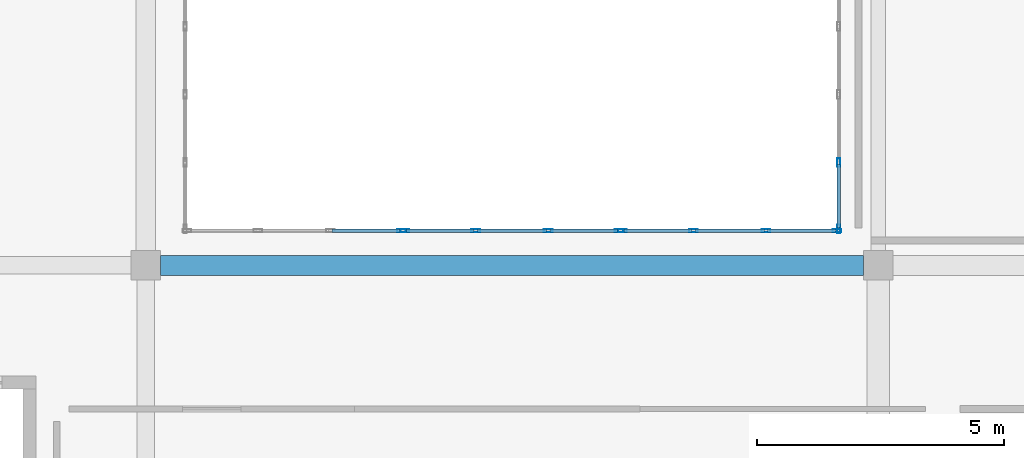
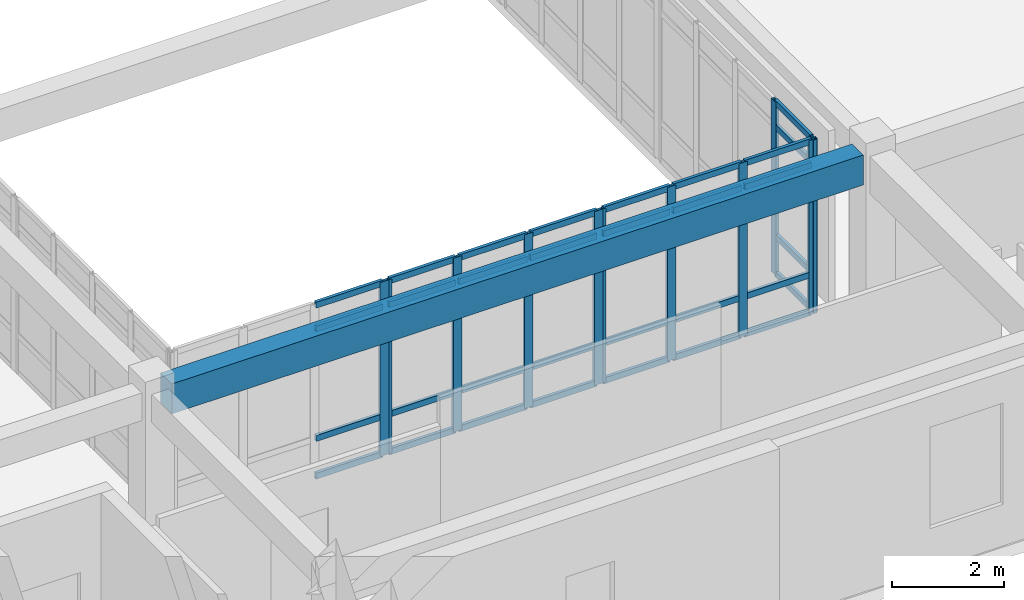
# One storey, part 48 of 91: 43 members, 1 beam, 4 elements without a shape of their own.
"""IFC4 building model written with IfcOpenShell, lengths in metres."""

from ifc_helpers import new_model, si_unit, direction, frame, origin, origin_2d, place, context, subcontext, project, spatial, rectangle, hollow_rectangle, extrude, material, layer, layer_set, material_profile, profile_set, type_object, element, aggregate, save


model = new_model("IFC4")

# Units and contexts
model_context = context("Model", 3, precision=1e-05, world=origin(), true_north=direction((0.0, 1.0)))
body_context = subcontext(model_context, "Body", "Model", "MODEL_VIEW")
ifc_project = project(units=[si_unit("LENGTHUNIT", "METRE"), si_unit("AREAUNIT", "SQUARE_METRE"), si_unit("VOLUMEUNIT", "CUBIC_METRE"), si_unit("PLANEANGLEUNIT", "RADIAN"), si_unit("MASSUNIT", "GRAM", prefix="KILO")], contexts=[model_context])

# Site, building, storey
site_placement = place(None, origin())
site = spatial("IfcSite", under=ifc_project, at=site_placement, CompositionType="ELEMENT")
building_placement = place(site_placement, origin())
building = spatial("IfcBuilding", under=site, at=building_placement, Name="Valcora Specialist Clinic", CompositionType="ELEMENT")
storey_placement = place(building_placement, frame((0.0, 0.0, 13.60009765625)))
storey = spatial("IfcBuildingStorey", under=building, at=storey_placement, Name="L03", CompositionType="ELEMENT", Elevation=13.60009765625)

# Beam
ifc_material_1 = material(Name="Concrete C40/50", Category="concrete")
ifc_material_profile_1 = material_profile(ifc_material_1, rectangle(XDim=0.39990234375, YDim=0.64990234375, at=origin_2d()), Name="RC-BM-400X650")
ifc_profile_set_1 = profile_set([ifc_material_profile_1], Name="Concrete C40/50")
beam_type = type_object("IfcBeamType", Name="TY-BM-RC400X650", PredefinedType="BEAM", material=ifc_profile_set_1)
beam_placement = place(storey_placement, frame((76.300048828125, 81.300048828125, 3.449951171875), z_axis=(1.0, 0.0, 0.0), x_axis=(0.0, 1.0, 0.0)))
element("IfcBeam", 1, at=beam_placement, inside=storey, type_object=beam_type, Name="Beam BM-L03-0777", PredefinedType="BEAM", context=body_context, shape_type="SweptSolid", body=[
    extrude(rectangle(XDim=0.39990234375, YDim=0.64990234375, at=origin_2d()), origin(), (0.0, 0.0, 1.0), 14.199951171875),
])

# Curtain wall, member
ifc_material_2 = material(Name="Anodized Bronze Aluminium 6063-T6", Category="aluminium")
ifc_layer = layer(ifc_material_2, 0.175048828125)
ifc_layer_set = layer_set([ifc_layer], Name="Anodized Bronze Aluminium 6063-T6")
curtain_wall_type = type_object("IfcCurtainWallType", Name="TY-CW-CRT15", PredefinedType="NOTDEFINED", material=ifc_layer_set)
curtain_wall_1_placement = place(storey_placement, origin())
curtain_wall_1 = element("IfcCurtainWall", 2, at=curtain_wall_1_placement, inside=storey, type_object=curtain_wall_type, Name="Curtain wall CW-L03-125", PredefinedType="NOTDEFINED")
ifc_material_profile_2 = material_profile(ifc_material_2, hollow_rectangle(XDim=0.06494140625, YDim=0.175048828125, WallThickness=0.00390625, at=origin_2d()), Name="AL-MUL-65X175")
ifc_profile_set_2 = profile_set([ifc_material_profile_2], Name="Anodized Bronze Aluminium 6063-T6")
member_type_1 = type_object("IfcMemberType", Name="TY-CWM-65X175", PredefinedType="MULLION", material=ifc_profile_set_2)
member_1_placement = place(storey_placement, frame((81.16748046875, 82.0, 0.0), z_axis=(0.0, 0.0, 1.0), x_axis=(0.0, 1.0, 0.0)))
member_1 = element("IfcMember", 3, at=member_1_placement, type_object=member_type_1, Name="CW-CRT-15 mullion 4", PredefinedType="MULLION", context=body_context, shape_type="SweptSolid", body=[
    extrude(hollow_rectangle(XDim=0.06494140625, YDim=0.175048828125, WallThickness=0.00390625, at=origin_2d()), origin(), (0.0, 0.0, 1.0), 3.77490234375),
])

# Curtain wall, members
curtain_wall_2_placement = place(storey_placement, origin())
curtain_wall_2 = element("IfcCurtainWall", 4, at=curtain_wall_2_placement, inside=storey, type_object=curtain_wall_type, Name="Curtain wall CW-L03-126", PredefinedType="NOTDEFINED")
member_2_placement = place(storey_placement, frame((81.232421875, 82.0, 0.0), z_axis=(0.0, 0.0, 1.0), x_axis=(0.0, 1.0, 0.0)))
member_2 = element("IfcMember", 5, at=member_2_placement, type_object=member_type_1, Name="CW-CRT-15 mullion 1", PredefinedType="MULLION", context=body_context, shape_type="SweptSolid", body=[
    extrude(hollow_rectangle(XDim=0.06494140625, YDim=0.175048828125, WallThickness=0.00390625, at=origin_2d()), origin(), (0.0, 0.0, 1.0), 3.77490234375),
])
member_3_placement = place(storey_placement, frame((82.666748046875, 82.0, 0.0), z_axis=(0.0, 0.0, 1.0), x_axis=(0.0, 1.0, 0.0)))
member_3 = element("IfcMember", 6, at=member_3_placement, type_object=member_type_1, Name="CW-CRT-15 mullion 2", PredefinedType="MULLION", context=body_context, shape_type="SweptSolid", body=[
    extrude(hollow_rectangle(XDim=0.06494140625, YDim=0.175048828125, WallThickness=0.00390625, at=origin_2d()), origin(), (0.0, 0.0, 1.0), 3.77490234375),
])
member_4_placement = place(storey_placement, frame((84.13330078125, 82.0, 0.0), z_axis=(0.0, 0.0, 1.0), x_axis=(0.0, 1.0, 0.0)))
member_4 = element("IfcMember", 7, at=member_4_placement, type_object=member_type_1, Name="CW-CRT-15 mullion 3", PredefinedType="MULLION", context=body_context, shape_type="SweptSolid", body=[
    extrude(hollow_rectangle(XDim=0.06494140625, YDim=0.175048828125, WallThickness=0.00390625, at=origin_2d()), origin(), (0.0, 0.0, 1.0), 3.77490234375),
])
member_5_placement = place(storey_placement, frame((85.5673828125, 82.0, 0.0), z_axis=(0.0, 0.0, 1.0), x_axis=(0.0, 1.0, 0.0)))
member_5 = element("IfcMember", 8, at=member_5_placement, type_object=member_type_1, Name="CW-CRT-15 mullion 4", PredefinedType="MULLION", context=body_context, shape_type="SweptSolid", body=[
    extrude(hollow_rectangle(XDim=0.06494140625, YDim=0.175048828125, WallThickness=0.00390625, at=origin_2d()), origin(), (0.0, 0.0, 1.0), 3.77490234375),
])

curtain_wall_3_placement = place(storey_placement, origin())
curtain_wall_3 = element("IfcCurtainWall", 9, at=curtain_wall_3_placement, inside=storey, type_object=curtain_wall_type, Name="Curtain wall CW-L03-127", PredefinedType="NOTDEFINED")
member_6_placement = place(storey_placement, frame((85.632568359375, 82.0, 0.0), z_axis=(0.0, 0.0, 1.0), x_axis=(0.0, 1.0, 0.0)))
member_6 = element("IfcMember", 10, at=member_6_placement, type_object=member_type_1, Name="CW-CRT-15 mullion 1", PredefinedType="MULLION", context=body_context, shape_type="SweptSolid", body=[
    extrude(hollow_rectangle(XDim=0.06494140625, YDim=0.175048828125, WallThickness=0.00390625, at=origin_2d()), origin(), (0.0, 0.0, 1.0), 3.77490234375),
])
member_7_placement = place(storey_placement, frame((87.066650390625, 82.0, 0.0), z_axis=(0.0, 0.0, 1.0), x_axis=(0.0, 1.0, 0.0)))
member_7 = element("IfcMember", 11, at=member_7_placement, type_object=member_type_1, Name="CW-CRT-15 mullion 2", PredefinedType="MULLION", context=body_context, shape_type="SweptSolid", body=[
    extrude(hollow_rectangle(XDim=0.06494140625, YDim=0.175048828125, WallThickness=0.00390625, at=origin_2d()), origin(), (0.0, 0.0, 1.0), 3.77490234375),
])
member_8_placement = place(storey_placement, frame((88.533447265625, 82.0, 0.0), z_axis=(0.0, 0.0, 1.0), x_axis=(0.0, 1.0, 0.0)))
member_8 = element("IfcMember", 12, at=member_8_placement, type_object=member_type_1, Name="CW-CRT-15 mullion 3", PredefinedType="MULLION", context=body_context, shape_type="SweptSolid", body=[
    extrude(hollow_rectangle(XDim=0.06494140625, YDim=0.175048828125, WallThickness=0.00390625, at=origin_2d()), origin(), (0.0, 0.0, 1.0), 3.77490234375),
])
member_9_placement = place(storey_placement, frame((89.967529296875, 82.0, 0.0), z_axis=(0.0, 0.0, 1.0), x_axis=(0.0, 1.0, 0.0)))
member_9 = element("IfcMember", 13, at=member_9_placement, type_object=member_type_1, Name="CW-CRT-15 mullion 4", PredefinedType="MULLION", context=body_context, shape_type="SweptSolid", body=[
    extrude(hollow_rectangle(XDim=0.06494140625, YDim=0.175048828125, WallThickness=0.00390625, at=origin_2d()), origin(), (0.0, 0.0, 1.0), 3.77490234375),
])

curtain_wall_4_placement = place(storey_placement, origin())
curtain_wall_4 = element("IfcCurtainWall", 14, at=curtain_wall_4_placement, inside=storey, type_object=curtain_wall_type, Name="Curtain wall CW-L03-128", PredefinedType="NOTDEFINED")
member_10_placement = place(storey_placement, frame((90.0, 82.032470703125, 0.0), z_axis=(0.0, 0.0, 1.0), x_axis=(-1.0, 0.0, 0.0)))
member_10 = element("IfcMember", 15, at=member_10_placement, type_object=member_type_1, Name="CW-CRT-15 mullion 1", PredefinedType="MULLION", context=body_context, shape_type="SweptSolid", body=[
    extrude(hollow_rectangle(XDim=0.06494140625, YDim=0.175048828125, WallThickness=0.00390625, at=origin_2d()), origin(), (0.0, 0.0, 1.0), 3.77490234375),
])
member_11_placement = place(storey_placement, frame((90.0, 83.375, 0.0), z_axis=(0.0, 0.0, 1.0), x_axis=(-1.0, 0.0, 0.0)))
member_11 = element("IfcMember", 16, at=member_11_placement, type_object=member_type_1, Name="CW-CRT-15 mullion 2", PredefinedType="MULLION", context=body_context, shape_type="SweptSolid", body=[
    extrude(hollow_rectangle(XDim=0.06494140625, YDim=0.175048828125, WallThickness=0.00390625, at=origin_2d()), origin(), (0.0, 0.0, 1.0), 3.77490234375),
])

# Member
ifc_material_profile_3 = material_profile(ifc_material_2, hollow_rectangle(XDim=0.06494140625, YDim=0.1298828125, WallThickness=0.00390625, at=origin_2d()), Name="AL-TRN-65X130")
ifc_profile_set_3 = profile_set([ifc_material_profile_3], Name="Anodized Bronze Aluminium 6063-T6")
member_type_2 = type_object("IfcMemberType", Name="TY-CWT-65X130", PredefinedType="USERDEFINED", material=ifc_profile_set_3)
member_12_placement = place(storey_placement, frame((79.765869140625, 82.0, 0.032470703125), z_axis=(1.0, 0.0, 0.0), x_axis=(0.0, 1.0, 0.0)))
member_12 = element("IfcMember", 17, at=member_12_placement, type_object=member_type_2, Name="CW-CRT-15 transom 3.1", ObjectType="TRANSOM", PredefinedType="USERDEFINED", context=body_context, shape_type="SweptSolid", body=[
    extrude(hollow_rectangle(XDim=0.06494140625, YDim=0.1298828125, WallThickness=0.00390625, at=origin_2d()), origin(), (0.0, 0.0, 1.0), 1.369140625),
])

member_13_placement = place(storey_placement, frame((79.765869140625, 82.0, 0.849853515625), z_axis=(1.0, 0.0, 0.0), x_axis=(0.0, 1.0, 0.0)))
member_13 = element("IfcMember", 18, at=member_13_placement, type_object=member_type_2, Name="CW-CRT-15 transom 3.2", ObjectType="TRANSOM", PredefinedType="USERDEFINED", context=body_context, shape_type="SweptSolid", body=[
    extrude(hollow_rectangle(XDim=0.06494140625, YDim=0.1298828125, WallThickness=0.00390625, at=origin_2d()), origin(), (0.0, 0.0, 1.0), 1.369140625),
])

member_14_placement = place(storey_placement, frame((79.765869140625, 82.0, 3.224853515625), z_axis=(1.0, 0.0, 0.0), x_axis=(0.0, 1.0, 0.0)))
member_14 = element("IfcMember", 19, at=member_14_placement, type_object=member_type_2, Name="CW-CRT-15 transom 3.3", ObjectType="TRANSOM", PredefinedType="USERDEFINED", context=body_context, shape_type="SweptSolid", body=[
    extrude(hollow_rectangle(XDim=0.06494140625, YDim=0.1298828125, WallThickness=0.00390625, at=origin_2d()), origin(), (0.0, 0.0, 1.0), 1.369140625),
])

member_15_placement = place(storey_placement, frame((79.765869140625, 82.0, 3.742431640625), z_axis=(1.0, 0.0, 0.0), x_axis=(0.0, 1.0, 0.0)))
member_15 = element("IfcMember", 20, at=member_15_placement, type_object=member_type_2, Name="CW-CRT-15 transom 3.4", ObjectType="TRANSOM", PredefinedType="USERDEFINED", context=body_context, shape_type="SweptSolid", body=[
    extrude(hollow_rectangle(XDim=0.06494140625, YDim=0.1298828125, WallThickness=0.00390625, at=origin_2d()), origin(), (0.0, 0.0, 1.0), 1.369140625),
])

aggregate(curtain_wall_1, [member_1, member_12, member_13, member_14, member_15])

member_16_placement = place(storey_placement, frame((81.264892578125, 82.0, 0.032470703125), z_axis=(1.0, 0.0, 0.0), x_axis=(0.0, 1.0, 0.0)))
member_16 = element("IfcMember", 21, at=member_16_placement, type_object=member_type_2, Name="CW-CRT-15 transom 1.1", ObjectType="TRANSOM", PredefinedType="USERDEFINED", context=body_context, shape_type="SweptSolid", body=[
    extrude(hollow_rectangle(XDim=0.06494140625, YDim=0.1298828125, WallThickness=0.00390625, at=origin_2d()), origin(), (0.0, 0.0, 1.0), 1.369384765625),
])

member_17_placement = place(storey_placement, frame((81.264892578125, 82.0, 0.849853515625), z_axis=(1.0, 0.0, 0.0), x_axis=(0.0, 1.0, 0.0)))
member_17 = element("IfcMember", 22, at=member_17_placement, type_object=member_type_2, Name="CW-CRT-15 transom 1.2", ObjectType="TRANSOM", PredefinedType="USERDEFINED", context=body_context, shape_type="SweptSolid", body=[
    extrude(hollow_rectangle(XDim=0.06494140625, YDim=0.1298828125, WallThickness=0.00390625, at=origin_2d()), origin(), (0.0, 0.0, 1.0), 1.369384765625),
])

member_18_placement = place(storey_placement, frame((81.264892578125, 82.0, 3.224853515625), z_axis=(1.0, 0.0, 0.0), x_axis=(0.0, 1.0, 0.0)))
member_18 = element("IfcMember", 23, at=member_18_placement, type_object=member_type_2, Name="CW-CRT-15 transom 1.3", ObjectType="TRANSOM", PredefinedType="USERDEFINED", context=body_context, shape_type="SweptSolid", body=[
    extrude(hollow_rectangle(XDim=0.06494140625, YDim=0.1298828125, WallThickness=0.00390625, at=origin_2d()), origin(), (0.0, 0.0, 1.0), 1.369384765625),
])

member_19_placement = place(storey_placement, frame((81.264892578125, 82.0, 3.742431640625), z_axis=(1.0, 0.0, 0.0), x_axis=(0.0, 1.0, 0.0)))
member_19 = element("IfcMember", 24, at=member_19_placement, type_object=member_type_2, Name="CW-CRT-15 transom 1.4", ObjectType="TRANSOM", PredefinedType="USERDEFINED", context=body_context, shape_type="SweptSolid", body=[
    extrude(hollow_rectangle(XDim=0.06494140625, YDim=0.1298828125, WallThickness=0.00390625, at=origin_2d()), origin(), (0.0, 0.0, 1.0), 1.369384765625),
])

member_20_placement = place(storey_placement, frame((82.69921875, 82.0, 0.032470703125), z_axis=(1.0, 0.0, 0.0), x_axis=(0.0, 1.0, 0.0)))
member_20 = element("IfcMember", 25, at=member_20_placement, type_object=member_type_2, Name="CW-CRT-15 transom 2.1", ObjectType="TRANSOM", PredefinedType="USERDEFINED", context=body_context, shape_type="SweptSolid", body=[
    extrude(hollow_rectangle(XDim=0.06494140625, YDim=0.1298828125, WallThickness=0.00390625, at=origin_2d()), origin(), (0.0, 0.0, 1.0), 1.401611328125),
])

member_21_placement = place(storey_placement, frame((82.69921875, 82.0, 0.849853515625), z_axis=(1.0, 0.0, 0.0), x_axis=(0.0, 1.0, 0.0)))
member_21 = element("IfcMember", 26, at=member_21_placement, type_object=member_type_2, Name="CW-CRT-15 transom 2.2", ObjectType="TRANSOM", PredefinedType="USERDEFINED", context=body_context, shape_type="SweptSolid", body=[
    extrude(hollow_rectangle(XDim=0.06494140625, YDim=0.1298828125, WallThickness=0.00390625, at=origin_2d()), origin(), (0.0, 0.0, 1.0), 1.401611328125),
])

member_22_placement = place(storey_placement, frame((82.69921875, 82.0, 3.224853515625), z_axis=(1.0, 0.0, 0.0), x_axis=(0.0, 1.0, 0.0)))
member_22 = element("IfcMember", 27, at=member_22_placement, type_object=member_type_2, Name="CW-CRT-15 transom 2.3", ObjectType="TRANSOM", PredefinedType="USERDEFINED", context=body_context, shape_type="SweptSolid", body=[
    extrude(hollow_rectangle(XDim=0.06494140625, YDim=0.1298828125, WallThickness=0.00390625, at=origin_2d()), origin(), (0.0, 0.0, 1.0), 1.401611328125),
])

member_23_placement = place(storey_placement, frame((82.69921875, 82.0, 3.742431640625), z_axis=(1.0, 0.0, 0.0), x_axis=(0.0, 1.0, 0.0)))
member_23 = element("IfcMember", 28, at=member_23_placement, type_object=member_type_2, Name="CW-CRT-15 transom 2.4", ObjectType="TRANSOM", PredefinedType="USERDEFINED", context=body_context, shape_type="SweptSolid", body=[
    extrude(hollow_rectangle(XDim=0.06494140625, YDim=0.1298828125, WallThickness=0.00390625, at=origin_2d()), origin(), (0.0, 0.0, 1.0), 1.401611328125),
])

member_24_placement = place(storey_placement, frame((84.165771484375, 82.0, 0.032470703125), z_axis=(1.0, 0.0, 0.0), x_axis=(0.0, 1.0, 0.0)))
member_24 = element("IfcMember", 29, at=member_24_placement, type_object=member_type_2, Name="CW-CRT-15 transom 3.1", ObjectType="TRANSOM", PredefinedType="USERDEFINED", context=body_context, shape_type="SweptSolid", body=[
    extrude(hollow_rectangle(XDim=0.06494140625, YDim=0.1298828125, WallThickness=0.00390625, at=origin_2d()), origin(), (0.0, 0.0, 1.0), 1.369140625),
])

member_25_placement = place(storey_placement, frame((84.165771484375, 82.0, 0.849853515625), z_axis=(1.0, 0.0, 0.0), x_axis=(0.0, 1.0, 0.0)))
member_25 = element("IfcMember", 30, at=member_25_placement, type_object=member_type_2, Name="CW-CRT-15 transom 3.2", ObjectType="TRANSOM", PredefinedType="USERDEFINED", context=body_context, shape_type="SweptSolid", body=[
    extrude(hollow_rectangle(XDim=0.06494140625, YDim=0.1298828125, WallThickness=0.00390625, at=origin_2d()), origin(), (0.0, 0.0, 1.0), 1.369140625),
])

member_26_placement = place(storey_placement, frame((84.165771484375, 82.0, 3.224853515625), z_axis=(1.0, 0.0, 0.0), x_axis=(0.0, 1.0, 0.0)))
member_26 = element("IfcMember", 31, at=member_26_placement, type_object=member_type_2, Name="CW-CRT-15 transom 3.3", ObjectType="TRANSOM", PredefinedType="USERDEFINED", context=body_context, shape_type="SweptSolid", body=[
    extrude(hollow_rectangle(XDim=0.06494140625, YDim=0.1298828125, WallThickness=0.00390625, at=origin_2d()), origin(), (0.0, 0.0, 1.0), 1.369140625),
])

member_27_placement = place(storey_placement, frame((84.165771484375, 82.0, 3.742431640625), z_axis=(1.0, 0.0, 0.0), x_axis=(0.0, 1.0, 0.0)))
member_27 = element("IfcMember", 32, at=member_27_placement, type_object=member_type_2, Name="CW-CRT-15 transom 3.4", ObjectType="TRANSOM", PredefinedType="USERDEFINED", context=body_context, shape_type="SweptSolid", body=[
    extrude(hollow_rectangle(XDim=0.06494140625, YDim=0.1298828125, WallThickness=0.00390625, at=origin_2d()), origin(), (0.0, 0.0, 1.0), 1.369140625),
])

aggregate(curtain_wall_2, [member_2, member_3, member_4, member_5, member_16, member_17, member_18, member_19, member_20, member_21, member_22, member_23, member_24, member_25, member_26, member_27])

member_28_placement = place(storey_placement, frame((85.6650390625, 82.0, 0.032470703125), z_axis=(1.0, 0.0, 0.0), x_axis=(0.0, 1.0, 0.0)))
member_28 = element("IfcMember", 33, at=member_28_placement, type_object=member_type_2, Name="CW-CRT-15 transom 1.1", ObjectType="TRANSOM", PredefinedType="USERDEFINED", context=body_context, shape_type="SweptSolid", body=[
    extrude(hollow_rectangle(XDim=0.06494140625, YDim=0.1298828125, WallThickness=0.00390625, at=origin_2d()), origin(), (0.0, 0.0, 1.0), 1.369140625),
])

member_29_placement = place(storey_placement, frame((85.6650390625, 82.0, 0.849853515625), z_axis=(1.0, 0.0, 0.0), x_axis=(0.0, 1.0, 0.0)))
member_29 = element("IfcMember", 34, at=member_29_placement, type_object=member_type_2, Name="CW-CRT-15 transom 1.2", ObjectType="TRANSOM", PredefinedType="USERDEFINED", context=body_context, shape_type="SweptSolid", body=[
    extrude(hollow_rectangle(XDim=0.06494140625, YDim=0.1298828125, WallThickness=0.00390625, at=origin_2d()), origin(), (0.0, 0.0, 1.0), 1.369140625),
])

member_30_placement = place(storey_placement, frame((85.6650390625, 82.0, 3.224853515625), z_axis=(1.0, 0.0, 0.0), x_axis=(0.0, 1.0, 0.0)))
member_30 = element("IfcMember", 35, at=member_30_placement, type_object=member_type_2, Name="CW-CRT-15 transom 1.3", ObjectType="TRANSOM", PredefinedType="USERDEFINED", context=body_context, shape_type="SweptSolid", body=[
    extrude(hollow_rectangle(XDim=0.06494140625, YDim=0.1298828125, WallThickness=0.00390625, at=origin_2d()), origin(), (0.0, 0.0, 1.0), 1.369140625),
])

member_31_placement = place(storey_placement, frame((85.6650390625, 82.0, 3.742431640625), z_axis=(1.0, 0.0, 0.0), x_axis=(0.0, 1.0, 0.0)))
member_31 = element("IfcMember", 36, at=member_31_placement, type_object=member_type_2, Name="CW-CRT-15 transom 1.4", ObjectType="TRANSOM", PredefinedType="USERDEFINED", context=body_context, shape_type="SweptSolid", body=[
    extrude(hollow_rectangle(XDim=0.06494140625, YDim=0.1298828125, WallThickness=0.00390625, at=origin_2d()), origin(), (0.0, 0.0, 1.0), 1.369140625),
])

member_32_placement = place(storey_placement, frame((87.09912109375, 82.0, 0.032470703125), z_axis=(1.0, 0.0, 0.0), x_axis=(0.0, 1.0, 0.0)))
member_32 = element("IfcMember", 37, at=member_32_placement, type_object=member_type_2, Name="CW-CRT-15 transom 2.1", ObjectType="TRANSOM", PredefinedType="USERDEFINED", context=body_context, shape_type="SweptSolid", body=[
    extrude(hollow_rectangle(XDim=0.06494140625, YDim=0.1298828125, WallThickness=0.00390625, at=origin_2d()), origin(), (0.0, 0.0, 1.0), 1.401611328125),
])

member_33_placement = place(storey_placement, frame((87.09912109375, 82.0, 0.849853515625), z_axis=(1.0, 0.0, 0.0), x_axis=(0.0, 1.0, 0.0)))
member_33 = element("IfcMember", 38, at=member_33_placement, type_object=member_type_2, Name="CW-CRT-15 transom 2.2", ObjectType="TRANSOM", PredefinedType="USERDEFINED", context=body_context, shape_type="SweptSolid", body=[
    extrude(hollow_rectangle(XDim=0.06494140625, YDim=0.1298828125, WallThickness=0.00390625, at=origin_2d()), origin(), (0.0, 0.0, 1.0), 1.401611328125),
])

member_34_placement = place(storey_placement, frame((87.09912109375, 82.0, 3.224853515625), z_axis=(1.0, 0.0, 0.0), x_axis=(0.0, 1.0, 0.0)))
member_34 = element("IfcMember", 39, at=member_34_placement, type_object=member_type_2, Name="CW-CRT-15 transom 2.3", ObjectType="TRANSOM", PredefinedType="USERDEFINED", context=body_context, shape_type="SweptSolid", body=[
    extrude(hollow_rectangle(XDim=0.06494140625, YDim=0.1298828125, WallThickness=0.00390625, at=origin_2d()), origin(), (0.0, 0.0, 1.0), 1.401611328125),
])

member_35_placement = place(storey_placement, frame((87.09912109375, 82.0, 3.742431640625), z_axis=(1.0, 0.0, 0.0), x_axis=(0.0, 1.0, 0.0)))
member_35 = element("IfcMember", 40, at=member_35_placement, type_object=member_type_2, Name="CW-CRT-15 transom 2.4", ObjectType="TRANSOM", PredefinedType="USERDEFINED", context=body_context, shape_type="SweptSolid", body=[
    extrude(hollow_rectangle(XDim=0.06494140625, YDim=0.1298828125, WallThickness=0.00390625, at=origin_2d()), origin(), (0.0, 0.0, 1.0), 1.401611328125),
])

member_36_placement = place(storey_placement, frame((88.56591796875, 82.0, 0.032470703125), z_axis=(1.0, 0.0, 0.0), x_axis=(0.0, 1.0, 0.0)))
member_36 = element("IfcMember", 41, at=member_36_placement, type_object=member_type_2, Name="CW-CRT-15 transom 3.1", ObjectType="TRANSOM", PredefinedType="USERDEFINED", context=body_context, shape_type="SweptSolid", body=[
    extrude(hollow_rectangle(XDim=0.06494140625, YDim=0.1298828125, WallThickness=0.00390625, at=origin_2d()), origin(), (0.0, 0.0, 1.0), 1.369140625),
])

member_37_placement = place(storey_placement, frame((88.56591796875, 82.0, 0.849853515625), z_axis=(1.0, 0.0, 0.0), x_axis=(0.0, 1.0, 0.0)))
member_37 = element("IfcMember", 42, at=member_37_placement, type_object=member_type_2, Name="CW-CRT-15 transom 3.2", ObjectType="TRANSOM", PredefinedType="USERDEFINED", context=body_context, shape_type="SweptSolid", body=[
    extrude(hollow_rectangle(XDim=0.06494140625, YDim=0.1298828125, WallThickness=0.00390625, at=origin_2d()), origin(), (0.0, 0.0, 1.0), 1.369140625),
])

member_38_placement = place(storey_placement, frame((88.56591796875, 82.0, 3.224853515625), z_axis=(1.0, 0.0, 0.0), x_axis=(0.0, 1.0, 0.0)))
member_38 = element("IfcMember", 43, at=member_38_placement, type_object=member_type_2, Name="CW-CRT-15 transom 3.3", ObjectType="TRANSOM", PredefinedType="USERDEFINED", context=body_context, shape_type="SweptSolid", body=[
    extrude(hollow_rectangle(XDim=0.06494140625, YDim=0.1298828125, WallThickness=0.00390625, at=origin_2d()), origin(), (0.0, 0.0, 1.0), 1.369140625),
])

member_39_placement = place(storey_placement, frame((88.56591796875, 82.0, 3.742431640625), z_axis=(1.0, 0.0, 0.0), x_axis=(0.0, 1.0, 0.0)))
member_39 = element("IfcMember", 44, at=member_39_placement, type_object=member_type_2, Name="CW-CRT-15 transom 3.4", ObjectType="TRANSOM", PredefinedType="USERDEFINED", context=body_context, shape_type="SweptSolid", body=[
    extrude(hollow_rectangle(XDim=0.06494140625, YDim=0.1298828125, WallThickness=0.00390625, at=origin_2d()), origin(), (0.0, 0.0, 1.0), 1.369140625),
])

aggregate(curtain_wall_3, [member_6, member_7, member_8, member_9, member_28, member_29, member_30, member_31, member_32, member_33, member_34, member_35, member_36, member_37, member_38, member_39])

member_40_placement = place(storey_placement, frame((90.0, 82.06494140625, 0.032470703125), z_axis=(0.0, 1.0, 0.0), x_axis=(-1.0, 0.0, 0.0)))
member_40 = element("IfcMember", 45, at=member_40_placement, type_object=member_type_2, Name="CW-CRT-15 transom 1.1", ObjectType="TRANSOM", PredefinedType="USERDEFINED", context=body_context, shape_type="SweptSolid", body=[
    extrude(hollow_rectangle(XDim=0.06494140625, YDim=0.1298828125, WallThickness=0.00390625, at=origin_2d()), origin(), (0.0, 0.0, 1.0), 1.277587890625),
])

member_41_placement = place(storey_placement, frame((90.0, 82.06494140625, 0.849853515625), z_axis=(0.0, 1.0, 0.0), x_axis=(-1.0, 0.0, 0.0)))
member_41 = element("IfcMember", 46, at=member_41_placement, type_object=member_type_2, Name="CW-CRT-15 transom 1.2", ObjectType="TRANSOM", PredefinedType="USERDEFINED", context=body_context, shape_type="SweptSolid", body=[
    extrude(hollow_rectangle(XDim=0.06494140625, YDim=0.1298828125, WallThickness=0.00390625, at=origin_2d()), origin(), (0.0, 0.0, 1.0), 1.277587890625),
])

member_42_placement = place(storey_placement, frame((90.0, 82.06494140625, 3.224853515625), z_axis=(0.0, 1.0, 0.0), x_axis=(-1.0, 0.0, 0.0)))
member_42 = element("IfcMember", 47, at=member_42_placement, type_object=member_type_2, Name="CW-CRT-15 transom 1.3", ObjectType="TRANSOM", PredefinedType="USERDEFINED", context=body_context, shape_type="SweptSolid", body=[
    extrude(hollow_rectangle(XDim=0.06494140625, YDim=0.1298828125, WallThickness=0.00390625, at=origin_2d()), origin(), (0.0, 0.0, 1.0), 1.277587890625),
])

member_43_placement = place(storey_placement, frame((90.0, 82.06494140625, 3.742431640625), z_axis=(0.0, 1.0, 0.0), x_axis=(-1.0, 0.0, 0.0)))
member_43 = element("IfcMember", 48, at=member_43_placement, type_object=member_type_2, Name="CW-CRT-15 transom 1.4", ObjectType="TRANSOM", PredefinedType="USERDEFINED", context=body_context, shape_type="SweptSolid", body=[
    extrude(hollow_rectangle(XDim=0.06494140625, YDim=0.1298828125, WallThickness=0.00390625, at=origin_2d()), origin(), (0.0, 0.0, 1.0), 1.277587890625),
])

aggregate(curtain_wall_4, [member_10, member_11, member_40, member_41, member_42, member_43])

save(model, "model.ifc")
